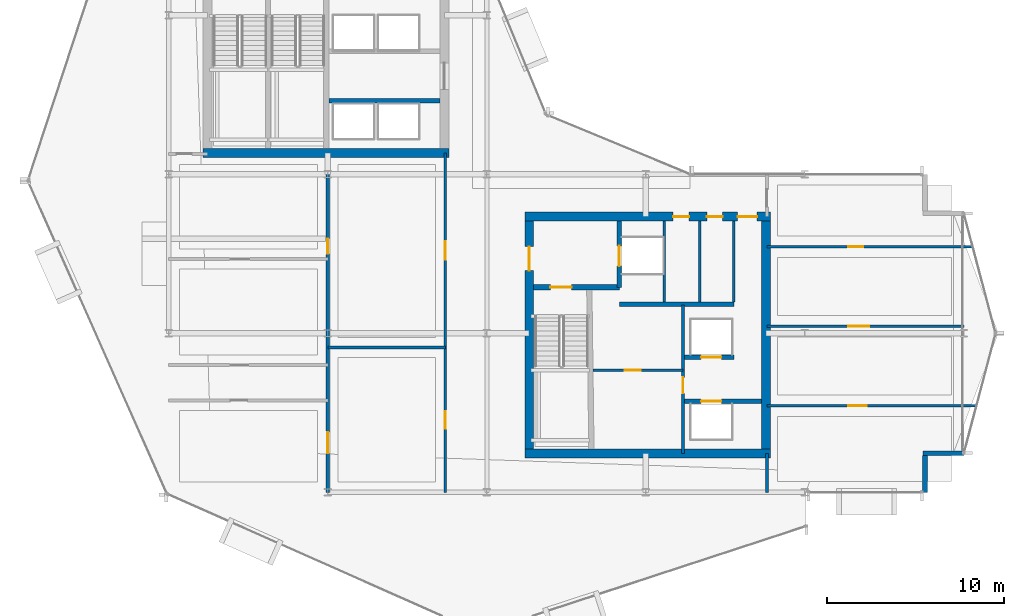
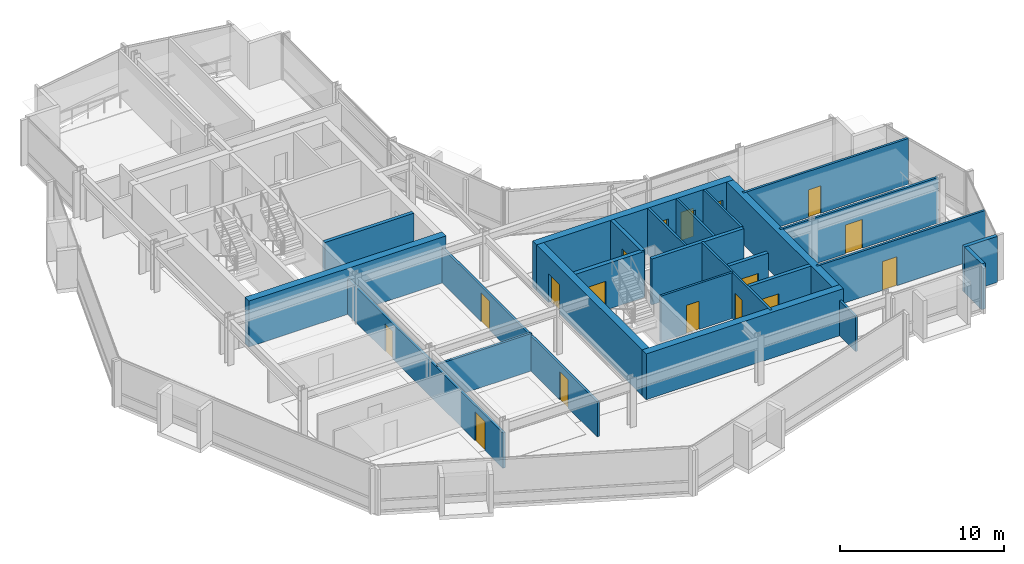
# One storey, part 22 of 29: 25 walls, 17 doors, 17 openings.
"""IFC4 building model written with IfcOpenShell, lengths in metres."""

import ifcopenshell
import ifcopenshell.guid

model = None  # the IFC model being written
_history = None  # IfcOwnerHistory: only IFC2X3 demands one
_inside = {}  # id of a spatial element -> (the spatial element, [elements in it])
_under = {}  # id of a project, library or spatial element -> (it, [spatial elements below it])
_declared = {}  # id of a project -> (the project, [libraries it declares])
_typed = {}  # id of a type object -> (the type object, [elements of that type])
_made_of = {}  # id of a material, layer set ... -> (it, [elements and type objects made of it])


def new_model(schema):
    """Start an empty IFC model of exactly this schema.

    Asked for "IFC4X3", IfcOpenShell would pick the latest addendum, in which some entities
    have other attributes; the version numbers below select the first issue.
    IFC2X3 requires an IfcOwnerHistory on every rooted entity: one is made here for all.
    """
    global model, _history
    if schema == "IFC4X3":
        model = ifcopenshell.file(schema_version=(4, 3, 0, 0))
    else:
        model = ifcopenshell.file(schema=schema)
    _inside.clear()
    _under.clear()
    _declared.clear()
    _typed.clear()
    _made_of.clear()
    _history = None
    if model.schema == "IFC2X3":
        org = make("IfcOrganization", Name="unknown")
        user = make(
            "IfcPersonAndOrganization",
            ThePerson=make("IfcPerson", FamilyName="unknown"),
            TheOrganization=org,
        )
        app = make(
            "IfcApplication",
            ApplicationDeveloper=org,
            Version="unknown",
            ApplicationFullName="unknown",
            ApplicationIdentifier="unknown",
        )
        _history = make(
            "IfcOwnerHistory",
            OwningUser=user,
            OwningApplication=app,
            ChangeAction="ADDED",
            CreationDate=0,
        )
    return model


def make(cls, **values):
    """One entity of the class cls with the attributes given. An attribute that is None is left unset."""
    return model.create_entity(
        cls, **{name: value for name, value in values.items() if value is not None}
    )


def rooted(cls, **values):
    """An entity with a GlobalId (a new one), such as an element, a storey or a relation."""
    return make(cls, GlobalId=ifcopenshell.guid.new(), OwnerHistory=_history, **values)


def si_unit(unit_type, name, prefix=None):
    """IfcSIUnit, for example si_unit("LENGTHUNIT", "METRE", prefix="MILLI")."""
    return make("IfcSIUnit", UnitType=unit_type, Prefix=prefix, Name=name)


def assignment(units):
    """IfcUnitAssignment: the units of a project."""
    return None if units is None else make("IfcUnitAssignment", Units=units)


def point(xyz):
    """IfcCartesianPoint."""
    return None if xyz is None else make("IfcCartesianPoint", Coordinates=xyz)


def direction(xyz):
    """IfcDirection."""
    return None if xyz is None else make("IfcDirection", DirectionRatios=xyz)


def frame(location, z_axis=None, x_axis=None):
    """IfcAxis2Placement3D, a coordinate frame: its origin and axes. An axis left out is left unset."""
    return make(
        "IfcAxis2Placement3D",
        Location=point(location),
        Axis=direction(z_axis),
        RefDirection=direction(x_axis),
    )


def frame_2d(location, x_axis=None):
    """IfcAxis2Placement2D, a coordinate frame in the plane: its origin and x axis."""
    return make(
        "IfcAxis2Placement2D", Location=point(location), RefDirection=direction(x_axis)
    )


def origin():
    """The frame at (0, 0, 0) with its axes left unset."""
    return frame((0.0, 0.0, 0.0))


def place(relative_to, where):
    """IfcLocalPlacement: puts the frame where relative to a parent placement (None: the world)."""
    return make(
        "IfcLocalPlacement", PlacementRelTo=relative_to, RelativePlacement=where
    )


def context(
    kind, dimensions, precision=None, world=None, true_north=None, identifier=None
):
    """IfcGeometricRepresentationContext, for example the 3D "Model" context."""
    return make(
        "IfcGeometricRepresentationContext",
        ContextIdentifier=identifier,
        ContextType=kind,
        CoordinateSpaceDimension=dimensions,
        Precision=precision,
        WorldCoordinateSystem=world,
        TrueNorth=true_north,
    )


def subcontext(parent, identifier, kind, view, scale=None):
    """IfcGeometricRepresentationSubContext, for example "Body" below "Model"."""
    return make(
        "IfcGeometricRepresentationSubContext",
        ContextIdentifier=identifier,
        ContextType=kind,
        ParentContext=parent,
        TargetScale=scale,
        TargetView=view,
    )


def project(units=None, contexts=None):
    """IfcProject with its units and contexts."""
    return rooted(
        "IfcProject",
        Name="project",
        RepresentationContexts=contexts,
        UnitsInContext=assignment(units),
    )


def spatial(cls, under=None, at=None, **own):
    """A site, building, storey or space (cls), placed at a placement, below another one or the project."""
    s = rooted(cls, ObjectPlacement=at, **own)
    if under is not None:
        _under.setdefault(under.id(), (under, []))[1].append(s)
    return s


def profile(cls, at=None, kind="AREA", **sizes):
    """A parametric profile (cls). Its sizes go by their IFC names, for example OverallWidth=200.0."""
    return make(cls, ProfileType=kind, Position=at, **sizes)


def rectangle(**sizes):
    """IfcRectangleProfileDef."""
    return profile("IfcRectangleProfileDef", **sizes)


def extrude(swept, where, along, depth):
    """IfcExtrudedAreaSolid: the profile swept, set in the frame where, extruded along a direction by depth."""
    return make(
        "IfcExtrudedAreaSolid",
        SweptArea=swept,
        Position=where,
        ExtrudedDirection=direction(along),
        Depth=depth,
    )


def shape(context_of_items, identifier, shape_type, items):
    """IfcShapeRepresentation: the items that make up one representation, for example the "Body"."""
    return make(
        "IfcShapeRepresentation",
        ContextOfItems=context_of_items,
        RepresentationIdentifier=identifier,
        RepresentationType=shape_type,
        Items=items,
    )


def material(Name=None, Category=None):
    """IfcMaterial."""
    return make("IfcMaterial", Name=Name, Category=Category)


def layer(
    of_material, thickness, ventilated=None, Name=None, Category=None, Priority=None
):
    """IfcMaterialLayer: one layer of a wall or slab, of a material (None: an air gap)."""
    return make(
        "IfcMaterialLayer",
        Material=of_material,
        LayerThickness=thickness,
        IsVentilated=ventilated,
        Name=Name,
        Category=Category,
        Priority=Priority,
    )


def layer_set(layers, Name=None):
    """IfcMaterialLayerSet."""
    return make("IfcMaterialLayerSet", MaterialLayers=layers, LayerSetName=Name)


def made_of(thing, what):
    """Note that an element or type object is made of a material, layer set ...; save() writes the relation."""
    if what is not None:
        _made_of.setdefault(what.id(), (what, []))[1].append(thing)
    return thing


def type_object(cls, material=None, **own):
    """A type object (cls), such as IfcWallType, which elements share."""
    return made_of(rooted(cls, **own), material)


def element(
    cls,
    number,
    at=None,
    inside=None,
    cuts=None,
    type_object=None,
    material=None,
    context=None,
    identifier="Body",
    shape_type=None,
    held_by="IfcProductDefinitionShape",
    body=None,
    shapes=None,
    **own,
):
    """One element of the class cls, such as IfcWall. Its Tag is "e" and its number.

    at: its placement. inside: the storey or other place that contains it. cuts: it is an
    opening in that element (IfcRelVoidsElement). A single representation is given by context,
    identifier, shape_type and body (its items); several are given by shapes. held_by: the class
    of the entity that holds the representations. save() writes the other relations.
    """
    e = rooted(cls, Tag="e%d" % number, ObjectPlacement=at, **own)
    if body is not None:
        shapes = [shape(context, identifier, shape_type, body)]
    if shapes is not None:
        e.Representation = make(held_by, Representations=shapes)
    if inside is not None:
        _inside.setdefault(inside.id(), (inside, []))[1].append(e)
    if cuts is not None:
        rooted(
            "IfcRelVoidsElement", RelatingBuildingElement=cuts, RelatedOpeningElement=e
        )
    if type_object is not None:
        _typed.setdefault(type_object.id(), (type_object, []))[1].append(e)
    return made_of(e, material)


def fill(opening, filler):
    """IfcRelFillsElement: the door or window that sits in an opening."""
    return rooted(
        "IfcRelFillsElement",
        RelatingOpeningElement=opening,
        RelatedBuildingElement=filler,
    )


def aggregate(whole, parts):
    """IfcRelAggregates: a whole, such as a stair, and the parts it consists of."""
    return rooted("IfcRelAggregates", RelatingObject=whole, RelatedObjects=parts)


def save(model, path):
    """Write the relations noted so far, then the file.

    IfcRelAggregates (storeys below a building ...), IfcRelContainedInSpatialStructure (elements
    in a storey), IfcRelDefinesByType, IfcRelAssociatesMaterial and IfcRelDeclares: one each for
    every whole, place, type object, material and project.
    """
    for whole, parts in _under.values():
        aggregate(whole, parts)
    for where, things in _inside.values():
        rooted(
            "IfcRelContainedInSpatialStructure",
            RelatedElements=things,
            RelatingStructure=where,
        )
    for kind, things in _typed.values():
        rooted("IfcRelDefinesByType", RelatedObjects=things, RelatingType=kind)
    for what, things in _made_of.values():
        rooted("IfcRelAssociatesMaterial", RelatedObjects=things, RelatingMaterial=what)
    for by, libraries in _declared.values():
        rooted("IfcRelDeclares", RelatingContext=by, RelatedDefinitions=libraries)
    model.write(path)


model = new_model("IFC4")

# Units and contexts
model_context = context("Model", 3, precision=1e-05, world=origin(), true_north=direction((0.0, 1.0)))
body_context = subcontext(model_context, "Body", "Model", "MODEL_VIEW")
ifc_project = project(units=[si_unit("LENGTHUNIT", "METRE"), si_unit("AREAUNIT", "SQUARE_METRE"), si_unit("VOLUMEUNIT", "CUBIC_METRE"), si_unit("PLANEANGLEUNIT", "RADIAN"), si_unit("MASSUNIT", "GRAM", prefix="KILO")], contexts=[model_context])

# Site, building, storey
site_placement = place(None, origin())
site = spatial("IfcSite", under=ifc_project, at=site_placement, CompositionType="ELEMENT")
building_placement = place(site_placement, origin())
building = spatial("IfcBuilding", under=site, at=building_placement, Name="Solvaryn Broadcast Tower", CompositionType="ELEMENT")
storey_placement = place(building_placement, frame((0.0, 0.0, 143.300048828125)))
storey = spatial("IfcBuildingStorey", under=building, at=storey_placement, Name="L35", CompositionType="ELEMENT", Elevation=143.300048828125)

# Walls
ifc_material_1 = material(Name="Concrete f'c 70 MPa", Category="concrete")
ifc_layer_1 = layer(ifc_material_1, 0.5)
ifc_layer_set_1 = layer_set([ifc_layer_1], Name="CW-SHEAR-500")
wall_type_1 = type_object("IfcWallType", Name="CW-SHEAR-500", PredefinedType="SHEAR", material=ifc_layer_set_1)
for number, where, z_axis, x_axis, name in (
    (1, (10.949951171875, 28.199951171875, 0.0), (0.0, 0.0, 1.0), (1.0, 0.0, 0.0), "L35 West Core South Shear Wall"),
    (2, (29.14990234375, 11.199951171875, 0.0), (0.0, 0.0, 1.0), (1.0, 0.0, 0.0), "L35 East Core South Shear Wall"),
):
    element("IfcWall", number, at=place(storey_placement, frame(where, z_axis=z_axis, x_axis=x_axis)), inside=storey, type_object=wall_type_1, Name=name, PredefinedType="SHEAR", context=body_context, shape_type="SweptSolid", body=[
        extrude(rectangle(XDim=13.900146484375, YDim=0.5, at=frame_2d((6.9501953125, 0.0))), origin(), (0.0, 0.0, 1.0), 3.419921875),
    ])

# Wall, openings, doors
wall_1_placement = place(storey_placement, frame((43.050048828125, 24.60009765625, 0.0), z_axis=(0.0, 0.0, 1.0), x_axis=(-1.0, 0.0, 0.0)))
wall_1 = element("IfcWall", 3, at=wall_1_placement, inside=storey, type_object=wall_type_1, Name="L35 East Core North Shear Wall", PredefinedType="SHEAR", context=body_context, shape_type="SweptSolid", body=[
    extrude(rectangle(XDim=13.900146484375, YDim=0.5, at=frame_2d((6.9501953125, 0.0))), origin(), (0.0, 0.0, 1.0), 3.419921875),
])
opening_1_placement = place(wall_1_placement, frame((0.75, 0.0, 0.0)))
opening_1 = element("IfcOpeningElement", 4, at=opening_1_placement, cuts=wall_1, Name="Opening FD90C", PredefinedType="OPENING", context=body_context, shape_type="SweptSolid", body=[
    extrude(rectangle(XDim=1.10009765625, YDim=2.14990234375, at=frame_2d((0.550048828125, 1.074951171875))), frame((0.0, 0.260009765625, 0.0), z_axis=(0.0, -1.0, 0.0), x_axis=(1.0, 0.0, 0.0)), (0.0, 0.0, 1.0), 0.52001953125),
])
opening_2_placement = place(wall_1_placement, frame((2.699951171875, 0.0, 0.0)))
opening_2 = element("IfcOpeningElement", 5, at=opening_2_placement, cuts=wall_1, Name="Opening FD60C", PredefinedType="OPENING", context=body_context, shape_type="SweptSolid", body=[
    extrude(rectangle(XDim=0.89990234375, YDim=2.10009765625, at=frame_2d((0.449951171875, 1.050048828125))), frame((0.0, 0.260009765625, 0.0), z_axis=(0.0, -1.0, 0.0), x_axis=(1.0, 0.0, 0.0)), (0.0, 0.0, 1.0), 0.52001953125),
])
opening_3_placement = place(wall_1_placement, frame((4.60009765625, 0.0, 0.0)))
opening_3 = element("IfcOpeningElement", 6, at=opening_3_placement, cuts=wall_1, Name="Opening FD60C", PredefinedType="OPENING", context=body_context, shape_type="SweptSolid", body=[
    extrude(rectangle(XDim=0.89990234375, YDim=2.10009765625, at=frame_2d((0.449951171875, 1.050048828125))), frame((0.0, 0.260009765625, 0.0), z_axis=(0.0, -1.0, 0.0), x_axis=(1.0, 0.0, 0.0)), (0.0, 0.0, 1.0), 0.52001953125),
])
ifc_material_2 = material(Name="Flush Acoustic Steel and Timber Door Assembly", Category="steel")
door_type_1 = type_object("IfcDoorType", Name="FD60-SERV-900X2100", OperationType="NOTDEFINED", PredefinedType="DOOR", material=ifc_material_2)
door_1_placement = place(opening_2_placement, origin())
door_1 = element("IfcDoor", 7, at=door_1_placement, inside=storey, type_object=door_type_1, Name="L35 Staff Restroom Door", OperationType="SINGLE_SWING_LEFT", OverallHeight=2.10009765625, OverallWidth=0.89990234375, PredefinedType="DOOR", context=body_context, shape_type="SweptSolid", body=[
    extrude(rectangle(XDim=0.89990234375, YDim=2.10009765625, at=frame_2d((0.449951171875, 1.050048828125))), frame((0.0, 0.02490234375, 0.0), z_axis=(0.0, -1.0, 0.0), x_axis=(1.0, 0.0, 0.0)), (0.0, 0.0, 1.0), 0.050048828125),
])
fill(opening_2, door_1)
door_2_placement = place(opening_3_placement, origin())
door_2 = element("IfcDoor", 8, at=door_2_placement, inside=storey, type_object=door_type_1, Name="L35 Accessible WC Door", OperationType="SINGLE_SWING_RIGHT", OverallHeight=2.10009765625, OverallWidth=0.89990234375, PredefinedType="DOOR", context=body_context, shape_type="SweptSolid", body=[
    extrude(rectangle(XDim=0.89990234375, YDim=2.10009765625, at=frame_2d((0.449951171875, 1.050048828125))), frame((0.0, 0.02490234375, 0.0), z_axis=(0.0, -1.0, 0.0), x_axis=(1.0, 0.0, 0.0)), (0.0, 0.0, 1.0), 0.050048828125),
])
fill(opening_3, door_2)
ifc_material_3 = material(Name="Flush Acoustic Steel and Timber Door Assembly", Category="steel")
door_type_2 = type_object("IfcDoorType", Name="FD90-PLANT-1100X2150", OperationType="NOTDEFINED", PredefinedType="DOOR", material=ifc_material_3)
door_3_placement = place(opening_1_placement, origin())
door_3 = element("IfcDoor", 9, at=door_3_placement, inside=storey, type_object=door_type_2, Name="L35 East Core Lobby Corridor Door", OperationType="SINGLE_SWING_LEFT", OverallHeight=2.14990234375, OverallWidth=1.10009765625, PredefinedType="DOOR", context=body_context, shape_type="SweptSolid", body=[
    extrude(rectangle(XDim=1.10009765625, YDim=2.14990234375, at=frame_2d((0.550048828125, 1.074951171875))), frame((0.0, 0.02490234375, 0.0), z_axis=(0.0, -1.0, 0.0), x_axis=(1.0, 0.0, 0.0)), (0.0, 0.0, 1.0), 0.050048828125),
])
fill(opening_1, door_3)

# Wall, opening, door
wall_2_placement = place(storey_placement, frame((29.39990234375, 24.35009765625, 0.0), z_axis=(0.0, 0.0, 1.0), x_axis=(0.0, -1.0, 0.0)))
wall_2 = element("IfcWall", 10, at=wall_2_placement, inside=storey, type_object=wall_type_1, Name="L35 East Core West Shear Wall", PredefinedType="SHEAR", context=body_context, shape_type="SweptSolid", body=[
    extrude(rectangle(XDim=12.900146484375, YDim=0.5, at=frame_2d((6.4501953125, 0.0))), origin(), (0.0, 0.0, 1.0), 3.419921875),
])
opening_4_placement = place(wall_2_placement, frame((1.449951171875, 0.0, 0.0)))
opening_4 = element("IfcOpeningElement", 11, at=opening_4_placement, cuts=wall_2, Name="Opening FD90B", PredefinedType="OPENING", context=body_context, shape_type="SweptSolid", body=[
    extrude(rectangle(XDim=1.35009765625, YDim=2.14990234375, at=frame_2d((0.675048828125, 1.074951171875))), frame((0.0, 0.260009765625, 0.0), z_axis=(0.0, -1.0, 0.0), x_axis=(1.0, 0.0, 0.0)), (0.0, 0.0, 1.0), 0.52001953125),
])
ifc_material_4 = material(Name="Flush Acoustic Steel and Timber Door Assembly", Category="steel")
door_type_3 = type_object("IfcDoorType", Name="FD90-LOBBY-1350X2150", OperationType="NOTDEFINED", PredefinedType="DOOR", material=ifc_material_4)
door_4_placement = place(opening_4_placement, origin())
door_4 = element("IfcDoor", 12, at=door_4_placement, inside=storey, type_object=door_type_3, Name="L35 East FSAE Lobby Door", OperationType="SINGLE_SWING_RIGHT", OverallHeight=2.14990234375, OverallWidth=1.35009765625, PredefinedType="DOOR", context=body_context, shape_type="SweptSolid", body=[
    extrude(rectangle(XDim=1.35009765625, YDim=2.14990234375, at=frame_2d((0.675048828125, 1.074951171875))), frame((0.0, 0.02490234375, 0.0), z_axis=(0.0, -1.0, 0.0), x_axis=(1.0, 0.0, 0.0)), (0.0, 0.0, 1.0), 0.050048828125),
])
fill(opening_4, door_4)

# Walls
wall_3_placement = place(storey_placement, frame((42.800048828125, 11.449951171875, 0.0), z_axis=(0.0, 0.0, 1.0), x_axis=(0.0, 1.0, 0.0)))
element("IfcWall", 13, at=wall_3_placement, inside=storey, type_object=wall_type_1, Name="L35 East Core East Shear Wall", PredefinedType="SHEAR", context=body_context, shape_type="SweptSolid", body=[
    extrude(rectangle(XDim=12.900146484375, YDim=0.5, at=frame_2d((6.4501953125, 0.0))), origin(), (0.0, 0.0, 1.0), 3.419921875),
])
ifc_material_5 = material(Name="Concrete f'c 50 MPa", Category="concrete")
ifc_layer_2 = layer(ifc_material_5, 0.260009765625)
ifc_layer_set_2 = layer_set([ifc_layer_2], Name="EW-PIER-260")
wall_type_2 = type_object("IfcWallType", Name="EW-PIER-260", PredefinedType="SOLIDWALL", material=ifc_layer_set_2)
wall_4_placement = place(storey_placement, frame((51.800048828125, 9.0, 0.0), z_axis=(0.0, 0.0, 1.0), x_axis=(0.0, 1.0, 0.0)))
element("IfcWall", 14, at=wall_4_placement, inside=storey, type_object=wall_type_2, Name="L35 Notched Corner Pier Wall NSE1", PredefinedType="SOLIDWALL", context=body_context, shape_type="SweptSolid", body=[
    extrude(rectangle(XDim=2.080078125, YDim=0.260009765625, at=frame_2d((1.0400390625, 0.0))), origin(), (0.0, 0.0, 1.0), 3.419921875),
])
wall_5_placement = place(storey_placement, frame((51.679931640625, 11.199951171875, 0.0), z_axis=(0.0, 0.0, 1.0), x_axis=(1.0, 0.0, 0.0)))
element("IfcWall", 15, at=wall_5_placement, inside=storey, type_object=wall_type_2, Name="L35 Notched Corner Pier Wall NSE2", PredefinedType="SOLIDWALL", context=body_context, shape_type="SweptSolid", body=[
    extrude(rectangle(XDim=2.320068359375, YDim=0.260009765625, at=frame_2d((1.16015625, 0.0))), origin(), (0.0, 0.0, 1.0), 3.419921875),
])

# Wall, opening, door
ifc_material_6 = material(Name="Metal-Stud Service Core Partition")
ifc_layer_3 = layer(ifc_material_6, 0.14990234375)
ifc_layer_set_3 = layer_set([ifc_layer_3], Name="IW-PART-150")
wall_type_3 = type_object("IfcWallType", Name="IW-PART-150", PredefinedType="PARTITIONING", material=ifc_layer_set_3)
wall_6_placement = place(storey_placement, frame((33.0, 15.89990234375, 0.0), z_axis=(0.0, 0.0, 1.0), x_axis=(1.0, 0.0, 0.0)))
wall_6 = element("IfcWall", 16, at=wall_6_placement, inside=storey, type_object=wall_type_3, Name="L35 Interior Partition IW-L35-RPL-H", PredefinedType="PARTITIONING", context=body_context, shape_type="SweptSolid", body=[
    extrude(rectangle(XDim=5.10009765625, YDim=0.14990234375, at=frame_2d((2.550048828125, 0.0))), origin(), (0.0, 0.0, 1.0), 3.419921875),
])
opening_5_placement = place(wall_6_placement, frame((1.800048828125, 0.0, 0.0)))
opening_5 = element("IfcOpeningElement", 17, at=opening_5_placement, cuts=wall_6, Name="Opening FD60C", PredefinedType="OPENING", context=body_context, shape_type="SweptSolid", body=[
    extrude(rectangle(XDim=0.89990234375, YDim=2.10009765625, at=frame_2d((0.449951171875, 1.050048828125))), frame((0.0, 0.0849609375, 0.0), z_axis=(0.0, -1.0, 0.0), x_axis=(1.0, 0.0, 0.0)), (0.0, 0.0, 1.0), 0.169921875),
])
door_5_placement = place(opening_5_placement, origin())
door_5 = element("IfcDoor", 18, at=door_5_placement, inside=storey, type_object=door_type_1, Name="L35 Door DR-L35-RPL1", OperationType="SINGLE_SWING_LEFT", OverallHeight=2.10009765625, OverallWidth=0.89990234375, PredefinedType="DOOR", context=body_context, shape_type="SweptSolid", body=[
    extrude(rectangle(XDim=0.89990234375, YDim=2.10009765625, at=frame_2d((0.449951171875, 1.050048828125))), frame((0.0, 0.02490234375, 0.0), z_axis=(0.0, -1.0, 0.0), x_axis=(1.0, 0.0, 0.0)), (0.0, 0.0, 1.0), 0.050048828125),
])
fill(opening_5, door_5)

wall_7_placement = place(storey_placement, frame((38.10009765625, 11.199951171875, 0.0), z_axis=(0.0, 0.0, 1.0), x_axis=(0.0, 1.0, 0.0)))
wall_7 = element("IfcWall", 19, at=wall_7_placement, inside=storey, type_object=wall_type_3, Name="L35 Interior Partition IW-L35-RPL-E", PredefinedType="PARTITIONING", context=body_context, shape_type="SweptSolid", body=[
    extrude(rectangle(XDim=8.400146484375, YDim=0.14990234375, at=frame_2d((4.2001953125, 0.0))), origin(), (0.0, 0.0, 1.0), 3.419921875),
])
opening_6_placement = place(wall_7_placement, frame((3.39990234375, 0.0, 0.0)))
opening_6 = element("IfcOpeningElement", 20, at=opening_6_placement, cuts=wall_7, Name="Opening FD60C", PredefinedType="OPENING", context=body_context, shape_type="SweptSolid", body=[
    extrude(rectangle(XDim=0.89990234375, YDim=2.10009765625, at=frame_2d((0.449951171875, 1.050048828125))), frame((0.0, 0.0849609375, 0.0), z_axis=(0.0, -1.0, 0.0), x_axis=(1.0, 0.0, 0.0)), (0.0, 0.0, 1.0), 0.169921875),
])
door_6_placement = place(opening_6_placement, origin())
door_6 = element("IfcDoor", 21, at=door_6_placement, inside=storey, type_object=door_type_1, Name="L35 Door DR-L35-RPL2", OperationType="SINGLE_SWING_RIGHT", OverallHeight=2.10009765625, OverallWidth=0.89990234375, PredefinedType="DOOR", context=body_context, shape_type="SweptSolid", body=[
    extrude(rectangle(XDim=0.89990234375, YDim=2.10009765625, at=frame_2d((0.449951171875, 1.050048828125))), frame((0.0, 0.02490234375, 0.0), z_axis=(0.0, -1.0, 0.0), x_axis=(1.0, 0.0, 0.0)), (0.0, 0.0, 1.0), 0.050048828125),
])
fill(opening_6, door_6)

# Walls
for number, where, z_axis, x_axis, name in (
    (22, (37.050048828125, 19.780029296875, 0.0), (0.0, 0.0, 1.0), (0.0, 1.0, 0.0), "L35 Interior Partition IW-L35-CE-FL2E"),
    (23, (39.050048828125, 19.780029296875, 0.0), (0.0, 0.0, 1.0), (0.0, 1.0, 0.0), "L35 Interior Partition IW-L35-CE-V1"),
    (24, (40.97998046875, 19.780029296875, 0.0), (0.0, 0.0, 1.0), (0.0, 1.0, 0.0), "L35 Interior Partition IW-L35-CE-V3"),
):
    element("IfcWall", number, at=place(storey_placement, frame(where, z_axis=z_axis, x_axis=x_axis)), inside=storey, type_object=wall_type_3, Name=name, PredefinedType="PARTITIONING", context=body_context, shape_type="SweptSolid", body=[
        extrude(rectangle(XDim=4.570068359375, YDim=0.14990234375, at=frame_2d((2.28515625, 0.0))), origin(), (0.0, 0.0, 1.0), 3.419921875),
    ])

# Wall, openings, doors
ifc_material_7 = material(Name="Metal-Stud Gypsum Office Partition")
ifc_layer_4 = layer(ifc_material_7, 0.159912109375)
ifc_layer_set_4 = layer_set([ifc_layer_4], Name="IW-PART-160")
wall_type_4 = type_object("IfcWallType", Name="IW-PART-160", PredefinedType="PARTITIONING", material=ifc_layer_set_4)
wall_8_placement = place(storey_placement, frame((24.64990234375, 9.0, 0.0), z_axis=(0.0, 0.0, 1.0), x_axis=(0.0, 1.0, 0.0)))
wall_8 = element("IfcWall", 25, at=wall_8_placement, inside=storey, type_object=wall_type_4, Name="L35 Interior Partition IW-L35-SW-EB", PredefinedType="PARTITIONING", context=body_context, shape_type="SweptSolid", body=[
    extrude(rectangle(XDim=19.199951171875, YDim=0.159912109375, at=frame_2d((9.60009765625, 0.0))), origin(), (0.0, 0.0, 1.0), 2.634033203125),
])
opening_7_placement = place(wall_8_placement, frame((3.60009765625, 0.0, 0.0)))
opening_7 = element("IfcOpeningElement", 26, at=opening_7_placement, cuts=wall_8, Name="Opening ID02", PredefinedType="OPENING", context=body_context, shape_type="SweptSolid", body=[
    extrude(rectangle(XDim=1.0, YDim=2.10009765625, at=frame_2d((0.5, 1.050048828125))), frame((0.0, 0.090087890625, 0.0), z_axis=(0.0, -1.0, 0.0), x_axis=(1.0, 0.0, 0.0)), (0.0, 0.0, 1.0), 0.179931640625),
])
opening_8_placement = place(wall_8_placement, frame((13.1650390625, 0.0, 0.0)))
opening_8 = element("IfcOpeningElement", 27, at=opening_8_placement, cuts=wall_8, Name="Opening ID03", PredefinedType="OPENING", context=body_context, shape_type="SweptSolid", body=[
    extrude(rectangle(XDim=1.050048828125, YDim=2.14990234375, at=frame_2d((0.52490234375, 1.074951171875))), frame((0.0, 0.090087890625, 0.0), z_axis=(0.0, -1.0, 0.0), x_axis=(1.0, 0.0, 0.0)), (0.0, 0.0, 1.0), 0.179931640625),
])
ifc_material_8 = material(Name="Flush Acoustic Steel and Timber Door Assembly", Category="steel")
door_type_4 = type_object("IfcDoorType", Name="ID-02-1000X2100", OperationType="NOTDEFINED", PredefinedType="DOOR", material=ifc_material_8)
door_7_placement = place(opening_7_placement, origin())
door_7 = element("IfcDoor", 28, at=door_7_placement, inside=storey, type_object=door_type_4, Name="L35 Door DR-L35-SWE-1", OperationType="SINGLE_SWING_RIGHT", OverallHeight=2.10009765625, OverallWidth=1.0, PredefinedType="DOOR", context=body_context, shape_type="SweptSolid", body=[
    extrude(rectangle(XDim=1.0, YDim=2.10009765625, at=frame_2d((0.5, 1.050048828125))), frame((0.0, 0.02490234375, 0.0), z_axis=(0.0, -1.0, 0.0), x_axis=(1.0, 0.0, 0.0)), (0.0, 0.0, 1.0), 0.050048828125),
])
fill(opening_7, door_7)
ifc_material_9 = material(Name="Flush Acoustic Steel and Timber Door Assembly", Category="steel")
door_type_5 = type_object("IfcDoorType", Name="ID-03-1050X2150", OperationType="NOTDEFINED", PredefinedType="DOOR", material=ifc_material_9)
door_8_placement = place(opening_8_placement, origin())
door_8 = element("IfcDoor", 29, at=door_8_placement, inside=storey, type_object=door_type_5, Name="L35 Door DR-L35-SWE-2", OperationType="SINGLE_SWING_LEFT", OverallHeight=2.14990234375, OverallWidth=1.050048828125, PredefinedType="DOOR", context=body_context, shape_type="SweptSolid", body=[
    extrude(rectangle(XDim=1.050048828125, YDim=2.14990234375, at=frame_2d((0.52490234375, 1.074951171875))), frame((0.0, 0.02490234375, 0.0), z_axis=(0.0, -1.0, 0.0), x_axis=(1.0, 0.0, 0.0)), (0.0, 0.0, 1.0), 0.050048828125),
])
fill(opening_8, door_8)

# Walls
wall_9_placement = place(storey_placement, frame((18.0, 17.199951171875, 0.0), z_axis=(0.0, 0.0, 1.0), x_axis=(1.0, 0.0, 0.0)))
element("IfcWall", 30, at=wall_9_placement, inside=storey, type_object=wall_type_4, Name="L35 Interior Partition IW-L35-SWE-H1", PredefinedType="PARTITIONING", context=body_context, shape_type="SweptSolid", body=[
    extrude(rectangle(XDim=6.64990234375, YDim=0.159912109375, at=frame_2d((3.324951171875, 0.0))), origin(), (0.0, 0.0, 1.0), 2.7890625),
])
wall_10_placement = place(storey_placement, frame((42.85009765625, 9.0, 0.0), z_axis=(0.0, 0.0, 1.0), x_axis=(0.0, 1.0, 0.0)))
element("IfcWall", 31, at=wall_10_placement, inside=storey, type_object=wall_type_4, Name="L35 Interior Partition IW-L35-SC-E", PredefinedType="PARTITIONING", context=body_context, shape_type="SweptSolid", body=[
    extrude(rectangle(XDim=2.199951171875, YDim=0.159912109375, at=frame_2d((1.10009765625, 0.0))), origin(), (0.0, 0.0, 1.0), 2.634033203125),
])

# Wall, opening, door
wall_11_placement = place(storey_placement, frame((42.85009765625, 13.89990234375, 0.0), z_axis=(0.0, 0.0, 1.0), x_axis=(1.0, 0.0, 0.0)))
wall_11 = element("IfcWall", 32, at=wall_11_placement, inside=storey, type_object=wall_type_4, Name="L35 Interior Partition IW-L35-EW-H1", PredefinedType="PARTITIONING", context=body_context, shape_type="SweptSolid", body=[
    extrude(rectangle(XDim=11.864990234375, YDim=0.159912109375, at=frame_2d((5.9326171875, 0.0))), origin(), (0.0, 0.0, 1.0), 3.419921875),
])
opening_9_placement = place(wall_11_placement, frame((4.60009765625, 0.0, 0.0)))
opening_9 = element("IfcOpeningElement", 33, at=opening_9_placement, cuts=wall_11, Name="Opening ID03", PredefinedType="OPENING", context=body_context, shape_type="SweptSolid", body=[
    extrude(rectangle(XDim=1.050048828125, YDim=2.14990234375, at=frame_2d((0.52490234375, 1.074951171875))), frame((0.0, 0.090087890625, 0.0), z_axis=(0.0, -1.0, 0.0), x_axis=(1.0, 0.0, 0.0)), (0.0, 0.0, 1.0), 0.179931640625),
])
door_9_placement = place(opening_9_placement, origin())
door_9 = element("IfcDoor", 34, at=door_9_placement, inside=storey, type_object=door_type_5, Name="L35 Door DR-L35-EW-1", OperationType="SINGLE_SWING_LEFT", OverallHeight=2.14990234375, OverallWidth=1.050048828125, PredefinedType="DOOR", context=body_context, shape_type="SweptSolid", body=[
    extrude(rectangle(XDim=1.050048828125, YDim=2.14990234375, at=frame_2d((0.52490234375, 1.074951171875))), frame((0.0, 0.02490234375, 0.0), z_axis=(0.0, -1.0, 0.0), x_axis=(1.0, 0.0, 0.0)), (0.0, 0.0, 1.0), 0.050048828125),
])
fill(opening_9, door_9)

wall_12_placement = place(storey_placement, frame((42.85009765625, 18.39990234375, 0.0), z_axis=(0.0, 0.0, 1.0), x_axis=(1.0, 0.0, 0.0)))
wall_12 = element("IfcWall", 35, at=wall_12_placement, inside=storey, type_object=wall_type_4, Name="L35 Interior Partition IW-L35-EW-H2", PredefinedType="PARTITIONING", context=body_context, shape_type="SweptSolid", body=[
    extrude(rectangle(XDim=11.14990234375, YDim=0.159912109375, at=frame_2d((5.574951171875, 0.0))), origin(), (0.0, 0.0, 1.0), 3.419921875),
])
opening_10_placement = place(wall_12_placement, frame((4.60009765625, 0.0, 0.0)))
opening_10 = element("IfcOpeningElement", 36, at=opening_10_placement, cuts=wall_12, Name="Opening ID04", PredefinedType="OPENING", context=body_context, shape_type="SweptSolid", body=[
    extrude(rectangle(XDim=1.199951171875, YDim=2.14990234375, at=frame_2d((0.60009765625, 1.074951171875))), frame((0.0, 0.090087890625, 0.0), z_axis=(0.0, -1.0, 0.0), x_axis=(1.0, 0.0, 0.0)), (0.0, 0.0, 1.0), 0.179931640625),
])
ifc_material_10 = material(Name="Flush Acoustic Steel and Timber Door Assembly", Category="steel")
door_type_6 = type_object("IfcDoorType", Name="ID-04-1200X2150", OperationType="NOTDEFINED", PredefinedType="DOOR", material=ifc_material_10)
door_10_placement = place(opening_10_placement, origin())
door_10 = element("IfcDoor", 37, at=door_10_placement, inside=storey, type_object=door_type_6, Name="L35 Door DR-L35-EW-2", OperationType="SINGLE_SWING_RIGHT", OverallHeight=2.14990234375, OverallWidth=1.199951171875, PredefinedType="DOOR", context=body_context, shape_type="SweptSolid", body=[
    extrude(rectangle(XDim=1.199951171875, YDim=2.14990234375, at=frame_2d((0.60009765625, 1.074951171875))), frame((0.0, 0.02490234375, 0.0), z_axis=(0.0, -1.0, 0.0), x_axis=(1.0, 0.0, 0.0)), (0.0, 0.0, 1.0), 0.050048828125),
])
fill(opening_10, door_10)

wall_13_placement = place(storey_placement, frame((42.85009765625, 22.89990234375, 0.0), z_axis=(0.0, 0.0, 1.0), x_axis=(1.0, 0.0, 0.0)))
wall_13 = element("IfcWall", 38, at=wall_13_placement, inside=storey, type_object=wall_type_4, Name="L35 Interior Partition IW-L35-EW-H3", PredefinedType="PARTITIONING", context=body_context, shape_type="SweptSolid", body=[
    extrude(rectangle(XDim=11.65283203125, YDim=0.159912109375, at=frame_2d((5.826416015625, 0.0))), origin(), (0.0, 0.0, 1.0), 3.419921875),
])
opening_11_placement = place(wall_13_placement, frame((4.60009765625, 0.0, 0.0)))
opening_11 = element("IfcOpeningElement", 39, at=opening_11_placement, cuts=wall_13, Name="Opening ID07", PredefinedType="OPENING", context=body_context, shape_type="SweptSolid", body=[
    extrude(rectangle(XDim=0.860107421875, YDim=2.050048828125, at=frame_2d((0.43017578125, 1.02490234375))), frame((0.0, 0.090087890625, 0.0), z_axis=(0.0, -1.0, 0.0), x_axis=(1.0, 0.0, 0.0)), (0.0, 0.0, 1.0), 0.179931640625),
])
ifc_material_11 = material(Name="Flush Acoustic Steel and Timber Door Assembly", Category="steel")
door_type_7 = type_object("IfcDoorType", Name="ID-07-860X2050", OperationType="NOTDEFINED", PredefinedType="DOOR", material=ifc_material_11)
door_11_placement = place(opening_11_placement, origin())
door_11 = element("IfcDoor", 40, at=door_11_placement, inside=storey, type_object=door_type_7, Name="L35 Door DR-L35-EW-3", OperationType="SINGLE_SWING_LEFT", OverallHeight=2.050048828125, OverallWidth=0.860107421875, PredefinedType="DOOR", context=body_context, shape_type="SweptSolid", body=[
    extrude(rectangle(XDim=0.860107421875, YDim=2.050048828125, at=frame_2d((0.43017578125, 1.02490234375))), frame((0.0, 0.02490234375, 0.0), z_axis=(0.0, -1.0, 0.0), x_axis=(1.0, 0.0, 0.0)), (0.0, 0.0, 1.0), 0.050048828125),
])
fill(opening_11, door_11)

# Wall, openings, doors
ifc_material_12 = material(Name="Acoustic Metal-Stud Gypsum Partition")
ifc_layer_5 = layer(ifc_material_12, 0.179931640625)
ifc_layer_set_5 = layer_set([ifc_layer_5], Name="IW-PART-180")
wall_type_5 = type_object("IfcWallType", Name="IW-PART-180", PredefinedType="PARTITIONING", material=ifc_layer_set_5)
wall_14_placement = place(storey_placement, frame((18.0, 9.0, 0.0), z_axis=(0.0, 0.0, 1.0), x_axis=(0.0, 1.0, 0.0)))
wall_14 = element("IfcWall", 41, at=wall_14_placement, inside=storey, type_object=wall_type_5, Name="L35 Interior Partition IW-L35-SW-VX", PredefinedType="PARTITIONING", context=body_context, shape_type="SweptSolid", body=[
    extrude(rectangle(XDim=19.1298828125, YDim=0.179931640625, at=frame_2d((9.56494140625, 0.0))), origin(), (0.0, 0.0, 1.0), 2.634033203125),
])
opening_12_placement = place(wall_14_placement, frame((2.199951171875, 0.0, 0.0)))
opening_12 = element("IfcOpeningElement", 42, at=opening_12_placement, cuts=wall_14, Name="Opening ID04", PredefinedType="OPENING", context=body_context, shape_type="SweptSolid", body=[
    extrude(rectangle(XDim=1.199951171875, YDim=2.14990234375, at=frame_2d((0.60009765625, 1.074951171875))), frame((0.0, 0.099853515625, 0.0), z_axis=(0.0, -1.0, 0.0), x_axis=(1.0, 0.0, 0.0)), (0.0, 0.0, 1.0), 0.199951171875),
])
opening_13_placement = place(wall_14_placement, frame((13.5, 0.0, 0.0)))
opening_13 = element("IfcOpeningElement", 43, at=opening_13_placement, cuts=wall_14, Name="Opening ID07", PredefinedType="OPENING", context=body_context, shape_type="SweptSolid", body=[
    extrude(rectangle(XDim=0.860107421875, YDim=2.050048828125, at=frame_2d((0.43017578125, 1.02490234375))), frame((0.0, 0.099853515625, 0.0), z_axis=(0.0, -1.0, 0.0), x_axis=(1.0, 0.0, 0.0)), (0.0, 0.0, 1.0), 0.199951171875),
])
door_12_placement = place(opening_12_placement, origin())
door_12 = element("IfcDoor", 44, at=door_12_placement, inside=storey, type_object=door_type_6, Name="L35 Door DR-L35-SWW-X1", OperationType="SINGLE_SWING_RIGHT", OverallHeight=2.14990234375, OverallWidth=1.199951171875, PredefinedType="DOOR", context=body_context, shape_type="SweptSolid", body=[
    extrude(rectangle(XDim=1.199951171875, YDim=2.14990234375, at=frame_2d((0.60009765625, 1.074951171875))), frame((0.0, 0.02490234375, 0.0), z_axis=(0.0, -1.0, 0.0), x_axis=(1.0, 0.0, 0.0)), (0.0, 0.0, 1.0), 0.050048828125),
])
fill(opening_12, door_12)
door_13_placement = place(opening_13_placement, origin())
door_13 = element("IfcDoor", 45, at=door_13_placement, inside=storey, type_object=door_type_7, Name="L35 Door DR-L35-SWW-X2", OperationType="SINGLE_SWING_LEFT", OverallHeight=2.050048828125, OverallWidth=0.860107421875, PredefinedType="DOOR", context=body_context, shape_type="SweptSolid", body=[
    extrude(rectangle(XDim=0.860107421875, YDim=2.050048828125, at=frame_2d((0.43017578125, 1.02490234375))), frame((0.0, 0.02490234375, 0.0), z_axis=(0.0, -1.0, 0.0), x_axis=(1.0, 0.0, 0.0)), (0.0, 0.0, 1.0), 0.050048828125),
])
fill(opening_13, door_13)

# Wall
ifc_material_13 = material(Name="Concrete f'c 60 MPa", Category="concrete")
ifc_layer_6 = layer(ifc_material_13, 0.25)
ifc_layer_set_6 = layer_set([ifc_layer_6], Name="SW-SHAFT-250")
wall_type_6 = type_object("IfcWallType", Name="SW-SHAFT-250", PredefinedType="PARTITIONING", material=ifc_layer_set_6)
wall_15_placement = place(storey_placement, frame((18.070068359375, 31.14990234375, 0.0), z_axis=(0.0, 0.0, 1.0), x_axis=(1.0, 0.0, 0.0)))
element("IfcWall", 46, at=wall_15_placement, inside=storey, type_object=wall_type_6, Name="L35 High-Rise Lift Bank South Wall", PredefinedType="PARTITIONING", context=body_context, shape_type="SweptSolid", body=[
    extrude(rectangle(XDim=6.280029296875, YDim=0.25, at=frame_2d((3.14013671875, 0.0))), origin(), (0.0, 0.0, 1.0), 3.419921875),
])

# Wall, opening, door
wall_16_placement = place(storey_placement, frame((34.5, 20.60009765625, 0.0), z_axis=(0.0, 0.0, 1.0), x_axis=(0.0, 1.0, 0.0)))
wall_16 = element("IfcWall", 47, at=wall_16_placement, inside=storey, type_object=wall_type_6, Name="L35 East FSAE Lobby East Wall", PredefinedType="PARTITIONING", context=body_context, shape_type="SweptSolid", body=[
    extrude(rectangle(XDim=3.75, YDim=0.25, at=frame_2d((1.875, 0.0))), origin(), (0.0, 0.0, 1.0), 3.419921875),
])
opening_14_placement = place(wall_16_placement, frame((1.199951171875, 0.0, 0.0)))
opening_14 = element("IfcOpeningElement", 48, at=opening_14_placement, cuts=wall_16, Name="Opening LD01", PredefinedType="OPENING", context=body_context, shape_type="SweptSolid", body=[
    extrude(rectangle(XDim=1.14990234375, YDim=2.14990234375, at=frame_2d((0.574951171875, 1.074951171875))), frame((0.0, 0.135009765625, 0.0), z_axis=(0.0, -1.0, 0.0), x_axis=(1.0, 0.0, 0.0)), (0.0, 0.0, 1.0), 0.27001953125),
])
ifc_material_14 = material(Name="Flush Acoustic Steel and Timber Door Assembly", Category="steel")
door_type_8 = type_object("IfcDoorType", Name="LD-LIFT-1150X2150", OperationType="NOTDEFINED", PredefinedType="DOOR", material=ifc_material_14)
door_14_placement = place(opening_14_placement, origin())
door_14 = element("IfcDoor", 49, at=door_14_placement, inside=storey, type_object=door_type_8, Name="L35 FL2 Lift Landing Door", OperationType="DOUBLE_DOOR_SLIDING", OverallHeight=2.14990234375, OverallWidth=1.14990234375, PredefinedType="DOOR", context=body_context, shape_type="SweptSolid", body=[
    extrude(rectangle(XDim=1.14990234375, YDim=2.14990234375, at=frame_2d((0.574951171875, 1.074951171875))), frame((0.0, 0.02490234375, 0.0), z_axis=(0.0, -1.0, 0.0), x_axis=(1.0, 0.0, 0.0)), (0.0, 0.0, 1.0), 0.050048828125),
])
fill(opening_14, door_14)

# Wall
wall_17_placement = place(storey_placement, frame((34.5, 19.64990234375, 0.0), z_axis=(0.0, 0.0, 1.0), x_axis=(1.0, 0.0, 0.0)))
element("IfcWall", 50, at=wall_17_placement, inside=storey, type_object=wall_type_6, Name="L35 East Core Restroom South Wall", PredefinedType="PARTITIONING", context=body_context, shape_type="SweptSolid", body=[
    extrude(rectangle(XDim=6.47998046875, YDim=0.25, at=frame_2d((3.239990234375, 0.0))), origin(), (0.0, 0.0, 1.0), 3.419921875),
])

# Wall, opening, door
wall_18_placement = place(storey_placement, frame((38.199951171875, 14.14990234375, 0.0), z_axis=(0.0, 0.0, 1.0), x_axis=(1.0, 0.0, 0.0)))
wall_18 = element("IfcWall", 51, at=wall_18_placement, inside=storey, type_object=wall_type_6, Name="L35 East Lift Bank South Wall", PredefinedType="PARTITIONING", context=body_context, shape_type="SweptSolid", body=[
    extrude(rectangle(XDim=4.35009765625, YDim=0.25, at=frame_2d((2.175048828125, 0.0))), origin(), (0.0, 0.0, 1.0), 3.419921875),
])
opening_15_placement = place(wall_18_placement, frame((0.925048828125, 0.0, 0.0)))
opening_15 = element("IfcOpeningElement", 52, at=opening_15_placement, cuts=wall_18, Name="Opening LD01", PredefinedType="OPENING", context=body_context, shape_type="SweptSolid", body=[
    extrude(rectangle(XDim=1.14990234375, YDim=2.14990234375, at=frame_2d((0.574951171875, 1.074951171875))), frame((0.0, 0.135009765625, 0.0), z_axis=(0.0, -1.0, 0.0), x_axis=(1.0, 0.0, 0.0)), (0.0, 0.0, 1.0), 0.27001953125),
])
door_15_placement = place(opening_15_placement, origin())
door_15 = element("IfcDoor", 53, at=door_15_placement, inside=storey, type_object=door_type_8, Name="L35 PM1 Lift Landing Door", OperationType="DOUBLE_DOOR_SLIDING", OverallHeight=2.14990234375, OverallWidth=1.14990234375, PredefinedType="DOOR", context=body_context, shape_type="SweptSolid", body=[
    extrude(rectangle(XDim=1.14990234375, YDim=2.14990234375, at=frame_2d((0.574951171875, 1.074951171875))), frame((0.0, 0.02490234375, 0.0), z_axis=(0.0, -1.0, 0.0), x_axis=(1.0, 0.0, 0.0)), (0.0, 0.0, 1.0), 0.050048828125),
])
fill(opening_15, door_15)

wall_19_placement = place(storey_placement, frame((40.97998046875, 16.64990234375, 0.0), z_axis=(0.0, 0.0, 1.0), x_axis=(-1.0, 0.0, 0.0)))
wall_19 = element("IfcWall", 54, at=wall_19_placement, inside=storey, type_object=wall_type_6, Name="L35 East Lift Bank North Wall", PredefinedType="PARTITIONING", context=body_context, shape_type="SweptSolid", body=[
    extrude(rectangle(XDim=2.780029296875, YDim=0.25, at=frame_2d((1.39013671875, 0.0))), origin(), (0.0, 0.0, 1.0), 3.419921875),
])
opening_16_placement = place(wall_19_placement, frame((0.705078125, 0.0, 0.0)))
opening_16 = element("IfcOpeningElement", 55, at=opening_16_placement, cuts=wall_19, Name="Opening LD01", PredefinedType="OPENING", context=body_context, shape_type="SweptSolid", body=[
    extrude(rectangle(XDim=1.14990234375, YDim=2.14990234375, at=frame_2d((0.574951171875, 1.074951171875))), frame((0.0, 0.135009765625, 0.0), z_axis=(0.0, -1.0, 0.0), x_axis=(1.0, 0.0, 0.0)), (0.0, 0.0, 1.0), 0.27001953125),
])
door_16_placement = place(opening_16_placement, origin())
door_16 = element("IfcDoor", 56, at=door_16_placement, inside=storey, type_object=door_type_8, Name="L35 PM2 Lift Landing Door", OperationType="DOUBLE_DOOR_SLIDING", OverallHeight=2.14990234375, OverallWidth=1.14990234375, PredefinedType="DOOR", context=body_context, shape_type="SweptSolid", body=[
    extrude(rectangle(XDim=1.14990234375, YDim=2.14990234375, at=frame_2d((0.574951171875, 1.074951171875))), frame((0.0, 0.02490234375, 0.0), z_axis=(0.0, -1.0, 0.0), x_axis=(1.0, 0.0, 0.0)), (0.0, 0.0, 1.0), 0.050048828125),
])
fill(opening_16, door_16)

ifc_material_15 = material(Name="Concrete f'c 70 MPa", Category="concrete")
ifc_layer_7 = layer(ifc_material_15, 0.300048828125)
ifc_layer_set_7 = layer_set([ifc_layer_7], Name="SW-SHAFT-300")
wall_type_7 = type_object("IfcWallType", Name="SW-SHAFT-300", PredefinedType="SHEAR", material=ifc_layer_set_7)
wall_20_placement = place(storey_placement, frame((34.5, 20.60009765625, 0.0), z_axis=(0.0, 0.0, 1.0), x_axis=(-1.0, 0.0, 0.0)))
wall_20 = element("IfcWall", 57, at=wall_20_placement, inside=storey, type_object=wall_type_7, Name="L35 East FSAE Lobby South Wall", PredefinedType="SHEAR", context=body_context, shape_type="SweptSolid", body=[
    extrude(rectangle(XDim=4.85009765625, YDim=0.300048828125, at=frame_2d((2.425048828125, 0.0))), origin(), (0.0, 0.0, 1.0), 3.419921875),
])
opening_17_placement = place(wall_20_placement, frame((2.699951171875, 0.0, 0.0)))
opening_17 = element("IfcOpeningElement", 58, at=opening_17_placement, cuts=wall_20, Name="Opening FD90A", PredefinedType="OPENING", context=body_context, shape_type="SweptSolid", body=[
    extrude(rectangle(XDim=1.199951171875, YDim=2.14990234375, at=frame_2d((0.60009765625, 1.074951171875))), frame((0.0, 0.159912109375, 0.0), z_axis=(0.0, -1.0, 0.0), x_axis=(1.0, 0.0, 0.0)), (0.0, 0.0, 1.0), 0.320068359375),
])
ifc_material_16 = material(Name="Flush Acoustic Steel and Timber Door Assembly", Category="steel")
door_type_9 = type_object("IfcDoorType", Name="FD90-STAIR-1200X2150", OperationType="NOTDEFINED", PredefinedType="DOOR", material=ifc_material_16)
door_17_placement = place(opening_17_placement, origin())
door_17 = element("IfcDoor", 59, at=door_17_placement, inside=storey, type_object=door_type_9, Name="L35 Stair 3 Fire Door", OperationType="SINGLE_SWING_LEFT", OverallHeight=2.14990234375, OverallWidth=1.199951171875, PredefinedType="DOOR", context=body_context, shape_type="SweptSolid", body=[
    extrude(rectangle(XDim=1.199951171875, YDim=2.14990234375, at=frame_2d((0.60009765625, 1.074951171875))), frame((0.0, 0.02490234375, 0.0), z_axis=(0.0, -1.0, 0.0), x_axis=(1.0, 0.0, 0.0)), (0.0, 0.0, 1.0), 0.050048828125),
])
fill(opening_17, door_17)

save(model, "model.ifc")
